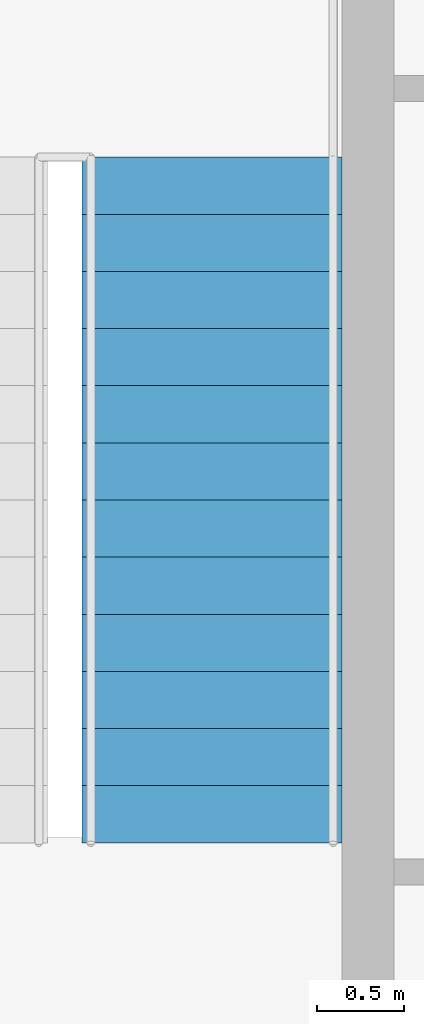
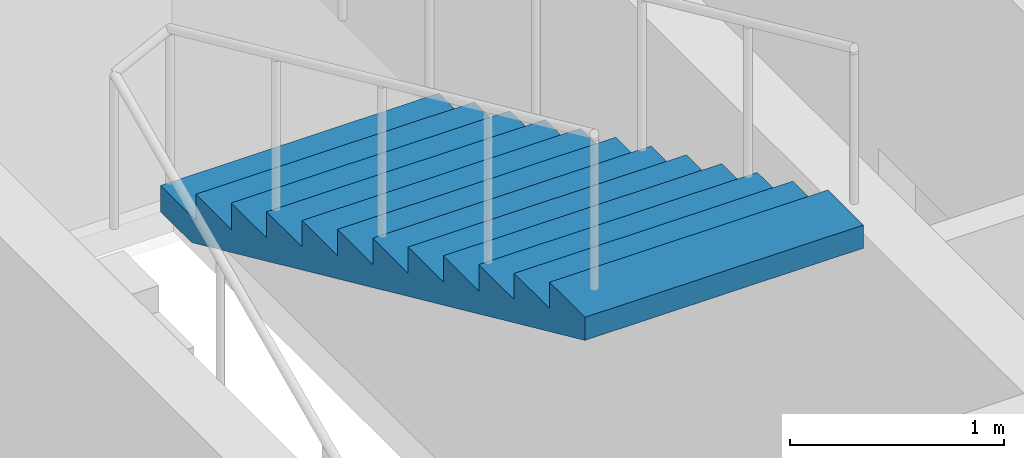
# One storey, part 10 of 11: 1 stair flight, 1 element without a shape of its own.
"""IFC4 building model written with IfcOpenShell, lengths in metres."""

import ifcopenshell
import ifcopenshell.guid

model = None  # the IFC model being written
_history = None  # IfcOwnerHistory: only IFC2X3 demands one
_inside = {}  # id of a spatial element -> (the spatial element, [elements in it])
_under = {}  # id of a project, library or spatial element -> (it, [spatial elements below it])
_declared = {}  # id of a project -> (the project, [libraries it declares])
_typed = {}  # id of a type object -> (the type object, [elements of that type])
_made_of = {}  # id of a material, layer set ... -> (it, [elements and type objects made of it])


def new_model(schema):
    """Start an empty IFC model of exactly this schema.

    Asked for "IFC4X3", IfcOpenShell would pick the latest addendum, in which some entities
    have other attributes; the version numbers below select the first issue.
    IFC2X3 requires an IfcOwnerHistory on every rooted entity: one is made here for all.
    """
    global model, _history
    if schema == "IFC4X3":
        model = ifcopenshell.file(schema_version=(4, 3, 0, 0))
    else:
        model = ifcopenshell.file(schema=schema)
    _inside.clear()
    _under.clear()
    _declared.clear()
    _typed.clear()
    _made_of.clear()
    _history = None
    if model.schema == "IFC2X3":
        org = make("IfcOrganization", Name="unknown")
        user = make(
            "IfcPersonAndOrganization",
            ThePerson=make("IfcPerson", FamilyName="unknown"),
            TheOrganization=org,
        )
        app = make(
            "IfcApplication",
            ApplicationDeveloper=org,
            Version="unknown",
            ApplicationFullName="unknown",
            ApplicationIdentifier="unknown",
        )
        _history = make(
            "IfcOwnerHistory",
            OwningUser=user,
            OwningApplication=app,
            ChangeAction="ADDED",
            CreationDate=0,
        )
    return model


def make(cls, **values):
    """One entity of the class cls with the attributes given. An attribute that is None is left unset."""
    return model.create_entity(
        cls, **{name: value for name, value in values.items() if value is not None}
    )


def rooted(cls, **values):
    """An entity with a GlobalId (a new one), such as an element, a storey or a relation."""
    return make(cls, GlobalId=ifcopenshell.guid.new(), OwnerHistory=_history, **values)


def si_unit(unit_type, name, prefix=None):
    """IfcSIUnit, for example si_unit("LENGTHUNIT", "METRE", prefix="MILLI")."""
    return make("IfcSIUnit", UnitType=unit_type, Prefix=prefix, Name=name)


def assignment(units):
    """IfcUnitAssignment: the units of a project."""
    return None if units is None else make("IfcUnitAssignment", Units=units)


def point(xyz):
    """IfcCartesianPoint."""
    return None if xyz is None else make("IfcCartesianPoint", Coordinates=xyz)


def direction(xyz):
    """IfcDirection."""
    return None if xyz is None else make("IfcDirection", DirectionRatios=xyz)


def frame(location, z_axis=None, x_axis=None):
    """IfcAxis2Placement3D, a coordinate frame: its origin and axes. An axis left out is left unset."""
    return make(
        "IfcAxis2Placement3D",
        Location=point(location),
        Axis=direction(z_axis),
        RefDirection=direction(x_axis),
    )


def origin():
    """The frame at (0, 0, 0) with its axes left unset."""
    return frame((0.0, 0.0, 0.0))


def place(relative_to, where):
    """IfcLocalPlacement: puts the frame where relative to a parent placement (None: the world)."""
    return make(
        "IfcLocalPlacement", PlacementRelTo=relative_to, RelativePlacement=where
    )


def context(
    kind, dimensions, precision=None, world=None, true_north=None, identifier=None
):
    """IfcGeometricRepresentationContext, for example the 3D "Model" context."""
    return make(
        "IfcGeometricRepresentationContext",
        ContextIdentifier=identifier,
        ContextType=kind,
        CoordinateSpaceDimension=dimensions,
        Precision=precision,
        WorldCoordinateSystem=world,
        TrueNorth=true_north,
    )


def subcontext(parent, identifier, kind, view, scale=None):
    """IfcGeometricRepresentationSubContext, for example "Body" below "Model"."""
    return make(
        "IfcGeometricRepresentationSubContext",
        ContextIdentifier=identifier,
        ContextType=kind,
        ParentContext=parent,
        TargetScale=scale,
        TargetView=view,
    )


def project(units=None, contexts=None):
    """IfcProject with its units and contexts."""
    return rooted(
        "IfcProject",
        Name="project",
        RepresentationContexts=contexts,
        UnitsInContext=assignment(units),
    )


def spatial(cls, under=None, at=None, **own):
    """A site, building, storey or space (cls), placed at a placement, below another one or the project."""
    s = rooted(cls, ObjectPlacement=at, **own)
    if under is not None:
        _under.setdefault(under.id(), (under, []))[1].append(s)
    return s


def point_list(points):
    """IfcCartesianPointList2D or 3D."""
    cls = (
        "IfcCartesianPointList2D" if len(points[0]) == 2 else "IfcCartesianPointList3D"
    )
    return make(cls, CoordList=points)


def polygons(points, faces, closed=None, point_numbers=None):
    """IfcPolygonalFaceSet: a face is its outer loop, then its inner loops; points numbered from 1."""
    made = []
    for loops in faces:
        if len(loops) == 1:
            made.append(make("IfcIndexedPolygonalFace", CoordIndex=loops[0]))
        else:
            made.append(
                make(
                    "IfcIndexedPolygonalFaceWithVoids",
                    CoordIndex=loops[0],
                    InnerCoordIndices=loops[1:],
                )
            )
    return make(
        "IfcPolygonalFaceSet",
        Coordinates=point_list(points),
        Closed=closed,
        Faces=made,
        PnIndex=point_numbers,
    )


def shape(context_of_items, identifier, shape_type, items):
    """IfcShapeRepresentation: the items that make up one representation, for example the "Body"."""
    return make(
        "IfcShapeRepresentation",
        ContextOfItems=context_of_items,
        RepresentationIdentifier=identifier,
        RepresentationType=shape_type,
        Items=items,
    )


def material(Name=None, Category=None):
    """IfcMaterial."""
    return make("IfcMaterial", Name=Name, Category=Category)


def made_of(thing, what):
    """Note that an element or type object is made of a material, layer set ...; save() writes the relation."""
    if what is not None:
        _made_of.setdefault(what.id(), (what, []))[1].append(thing)
    return thing


def type_object(cls, material=None, **own):
    """A type object (cls), such as IfcWallType, which elements share."""
    return made_of(rooted(cls, **own), material)


def element(
    cls,
    number,
    at=None,
    inside=None,
    cuts=None,
    type_object=None,
    material=None,
    context=None,
    identifier="Body",
    shape_type=None,
    held_by="IfcProductDefinitionShape",
    body=None,
    shapes=None,
    **own,
):
    """One element of the class cls, such as IfcWall. Its Tag is "e" and its number.

    at: its placement. inside: the storey or other place that contains it. cuts: it is an
    opening in that element (IfcRelVoidsElement). A single representation is given by context,
    identifier, shape_type and body (its items); several are given by shapes. held_by: the class
    of the entity that holds the representations. save() writes the other relations.
    """
    e = rooted(cls, Tag="e%d" % number, ObjectPlacement=at, **own)
    if body is not None:
        shapes = [shape(context, identifier, shape_type, body)]
    if shapes is not None:
        e.Representation = make(held_by, Representations=shapes)
    if inside is not None:
        _inside.setdefault(inside.id(), (inside, []))[1].append(e)
    if cuts is not None:
        rooted(
            "IfcRelVoidsElement", RelatingBuildingElement=cuts, RelatedOpeningElement=e
        )
    if type_object is not None:
        _typed.setdefault(type_object.id(), (type_object, []))[1].append(e)
    return made_of(e, material)


def aggregate(whole, parts):
    """IfcRelAggregates: a whole, such as a stair, and the parts it consists of."""
    return rooted("IfcRelAggregates", RelatingObject=whole, RelatedObjects=parts)


def save(model, path):
    """Write the relations noted so far, then the file.

    IfcRelAggregates (storeys below a building ...), IfcRelContainedInSpatialStructure (elements
    in a storey), IfcRelDefinesByType, IfcRelAssociatesMaterial and IfcRelDeclares: one each for
    every whole, place, type object, material and project.
    """
    for whole, parts in _under.values():
        aggregate(whole, parts)
    for where, things in _inside.values():
        rooted(
            "IfcRelContainedInSpatialStructure",
            RelatedElements=things,
            RelatingStructure=where,
        )
    for kind, things in _typed.values():
        rooted("IfcRelDefinesByType", RelatedObjects=things, RelatingType=kind)
    for what, things in _made_of.values():
        rooted("IfcRelAssociatesMaterial", RelatedObjects=things, RelatingMaterial=what)
    for by, libraries in _declared.values():
        rooted("IfcRelDeclares", RelatingContext=by, RelatedDefinitions=libraries)
    model.write(path)


model = new_model("IFC4")

# Units and contexts
model_context = context("Model", 3, precision=1e-05, world=origin(), true_north=direction((0.0, 1.0)))
body_context = subcontext(model_context, "Body", "Model", "MODEL_VIEW")
ifc_project = project(units=[si_unit("LENGTHUNIT", "METRE"), si_unit("AREAUNIT", "SQUARE_METRE"), si_unit("VOLUMEUNIT", "CUBIC_METRE"), si_unit("PLANEANGLEUNIT", "RADIAN"), si_unit("MASSUNIT", "GRAM", prefix="KILO")], contexts=[model_context])

# Site, building, storey
site_placement = place(None, origin())
site = spatial("IfcSite", under=ifc_project, at=site_placement, CompositionType="ELEMENT")
building_placement = place(site_placement, origin())
building = spatial("IfcBuilding", under=site, at=building_placement, Name="Njiva Tower", CompositionType="ELEMENT")
storey_placement = place(building_placement, frame((0.0, 0.0, 208.2)))
storey = spatial("IfcBuildingStorey", under=building, at=storey_placement, Name="L46", CompositionType="ELEMENT", Elevation=208.2)

# Stair, stair flight
ifc_material = material(Name="Concrete C40/50", Category="concrete")
stair_type = type_object("IfcStairType", Name="ST4 Exit stair 1500", PredefinedType="HALF_TURN_STAIR", material=ifc_material)
stair_placement = place(storey_placement, origin())
stair = element("IfcStair", 1, at=stair_placement, inside=storey, type_object=stair_type, Name="Stair B", PredefinedType="HALF_TURN_STAIR")
stair_flight_type = type_object("IfcStairFlightType", Name="FL4 Stair flight 1500", PredefinedType="STRAIGHT", material=ifc_material)
stair_flight_placement = place(storey_placement, frame((13.45, 15.06, 1.95), z_axis=(0.0, 0.0, 1.0), x_axis=(0.0, -1.0, 0.0)))
stair_flight = element("IfcStairFlight", 2, at=stair_flight_placement, type_object=stair_flight_type, Name="ST-B flight 2", NumberOfRisers=13, NumberOfTreads=12, PredefinedType="STRAIGHT", RiserHeight=0.15, TreadLength=0.33, context=body_context, shape_type="Tessellation", body=[
    polygons([(0.0, 0.75, 0.0), (0.0, 0.375, 0.0), (0.0, 0.0, 0.0), (0.0, -0.375, 0.0), (0.0, -0.75, 0.0), (0.0, 0.75, 0.15), (0.0, 0.375, 0.15), (0.0, 0.0, 0.15), (0.0, -0.375, 0.15), (0.0, -0.75, 0.15), (0.33, 0.75, 0.15), (0.33, 0.375, 0.15), (0.33, 0.0, 0.15), (0.33, -0.375, 0.15), (0.33, -0.75, 0.15), (0.33, 0.75, 0.3), (0.33, 0.375, 0.3), (0.33, 0.0, 0.3), (0.33, -0.375, 0.3), (0.33, -0.75, 0.3), (0.66, 0.75, 0.3), (0.66, 0.375, 0.3), (0.66, 0.0, 0.3), (0.66, -0.375, 0.3), (0.66, -0.75, 0.3), (0.66, 0.75, 0.45), (0.66, 0.375, 0.45), (0.66, 0.0, 0.45), (0.66, -0.375, 0.45), (0.66, -0.75, 0.45), (0.99, 0.75, 0.45), (0.99, 0.375, 0.45), (0.99, 0.0, 0.45), (0.99, -0.375, 0.45), (0.99, -0.75, 0.45), (0.99, 0.75, 0.6), (0.99, 0.375, 0.6), (0.99, 0.0, 0.6), (0.99, -0.375, 0.6), (0.99, -0.75, 0.6), (1.32, 0.75, 0.6), (1.32, 0.375, 0.6), (1.32, 0.0, 0.6), (1.32, -0.375, 0.6), (1.32, -0.75, 0.6), (1.32, 0.75, 0.75), (1.32, 0.375, 0.75), (1.32, 0.0, 0.75), (1.32, -0.375, 0.75), (1.32, -0.75, 0.75), (1.65, 0.75, 0.75), (1.65, 0.375, 0.75), (1.65, 0.0, 0.75), (1.65, -0.375, 0.75), (1.65, -0.75, 0.75), (1.65, 0.75, 0.9), (1.65, 0.375, 0.9), (1.65, 0.0, 0.9), (1.65, -0.375, 0.9), (1.65, -0.75, 0.9), (1.98, 0.75, 0.9), (1.98, 0.375, 0.9), (1.98, 0.0, 0.9), (1.98, -0.375, 0.9), (1.98, -0.75, 0.9), (1.98, 0.75, 1.05), (1.98, 0.375, 1.05), (1.98, 0.0, 1.05), (1.98, -0.375, 1.05), (1.98, -0.75, 1.05), (2.31, 0.75, 1.05), (2.31, 0.375, 1.05), (2.31, 0.0, 1.05), (2.31, -0.375, 1.05), (2.31, -0.75, 1.05), (2.31, 0.75, 1.2), (2.31, 0.375, 1.2), (2.31, 0.0, 1.2), (2.31, -0.375, 1.2), (2.31, -0.75, 1.2), (2.64, 0.75, 1.2), (2.64, 0.375, 1.2), (2.64, 0.0, 1.2), (2.64, -0.375, 1.2), (2.64, -0.75, 1.2), (2.64, 0.75, 1.35), (2.64, 0.375, 1.35), (2.64, 0.0, 1.35), (2.64, -0.375, 1.35), (2.64, -0.75, 1.35), (2.97, 0.75, 1.35), (2.97, 0.375, 1.35), (2.97, 0.0, 1.35), (2.97, -0.375, 1.35), (2.97, -0.75, 1.35), (2.97, 0.75, 1.5), (2.97, 0.375, 1.5), (2.97, 0.0, 1.5), (2.97, -0.375, 1.5), (2.97, -0.75, 1.5), (3.3, 0.75, 1.5), (3.3, 0.375, 1.5), (3.3, 0.0, 1.5), (3.3, -0.375, 1.5), (3.3, -0.75, 1.5), (3.3, 0.75, 1.65), (3.3, 0.375, 1.65), (3.3, 0.0, 1.65), (3.3, -0.375, 1.65), (3.3, -0.75, 1.65), (3.63, 0.75, 1.65), (3.63, 0.375, 1.65), (3.63, 0.0, 1.65), (3.63, -0.375, 1.65), (3.63, -0.75, 1.65), (3.63, 0.75, 1.8), (3.63, 0.375, 1.8), (3.63, 0.0, 1.8), (3.63, -0.375, 1.8), (3.63, -0.75, 1.8), (3.96, 0.75, 1.8), (3.96, 0.375, 1.8), (3.96, 0.0, 1.8), (3.96, -0.375, 1.8), (3.96, -0.75, 1.8), (3.96, 0.75, 1.6682), (3.96, 0.375, 1.6682), (3.96, 0.0, 1.6682), (3.96, -0.375, 1.6682), (3.96, -0.75, 1.6682), (0.29, 0.75, 0.0), (0.29, 0.375, 0.0), (0.29, 0.0, 0.0), (0.29, -0.375, 0.0), (0.29, -0.75, 0.0)], [[[1, 6, 11, 16, 21, 26, 31, 36, 41, 46, 51, 56, 61, 66, 71, 76, 81, 86, 91, 96, 101, 106, 111, 116, 121, 126, 131]], [[135, 130, 125, 120, 115, 110, 105, 100, 95, 90, 85, 80, 75, 70, 65, 60, 55, 50, 45, 40, 35, 30, 25, 20, 15, 10, 5]], [[6, 1, 2, 7]], [[7, 2, 3, 8]], [[8, 3, 4, 9]], [[9, 4, 5, 10]], [[11, 6, 7, 12]], [[12, 7, 8, 13]], [[13, 8, 9, 14]], [[14, 9, 10, 15]], [[16, 11, 12, 17]], [[17, 12, 13, 18]], [[18, 13, 14, 19]], [[19, 14, 15, 20]], [[21, 16, 17, 22]], [[22, 17, 18, 23]], [[23, 18, 19, 24]], [[24, 19, 20, 25]], [[26, 21, 22, 27]], [[27, 22, 23, 28]], [[28, 23, 24, 29]], [[29, 24, 25, 30]], [[31, 26, 27, 32]], [[32, 27, 28, 33]], [[33, 28, 29, 34]], [[34, 29, 30, 35]], [[36, 31, 32, 37]], [[37, 32, 33, 38]], [[38, 33, 34, 39]], [[39, 34, 35, 40]], [[41, 36, 37, 42]], [[42, 37, 38, 43]], [[43, 38, 39, 44]], [[44, 39, 40, 45]], [[46, 41, 42, 47]], [[47, 42, 43, 48]], [[48, 43, 44, 49]], [[49, 44, 45, 50]], [[51, 46, 47, 52]], [[52, 47, 48, 53]], [[53, 48, 49, 54]], [[54, 49, 50, 55]], [[56, 51, 52, 57]], [[57, 52, 53, 58]], [[58, 53, 54, 59]], [[59, 54, 55, 60]], [[61, 56, 57, 62]], [[62, 57, 58, 63]], [[63, 58, 59, 64]], [[64, 59, 60, 65]], [[66, 61, 62, 67]], [[67, 62, 63, 68]], [[68, 63, 64, 69]], [[69, 64, 65, 70]], [[71, 66, 67, 72]], [[72, 67, 68, 73]], [[73, 68, 69, 74]], [[74, 69, 70, 75]], [[76, 71, 72, 77]], [[77, 72, 73, 78]], [[78, 73, 74, 79]], [[79, 74, 75, 80]], [[81, 76, 77, 82]], [[82, 77, 78, 83]], [[83, 78, 79, 84]], [[84, 79, 80, 85]], [[86, 81, 82, 87]], [[87, 82, 83, 88]], [[88, 83, 84, 89]], [[89, 84, 85, 90]], [[91, 86, 87, 92]], [[92, 87, 88, 93]], [[93, 88, 89, 94]], [[94, 89, 90, 95]], [[96, 91, 92, 97]], [[97, 92, 93, 98]], [[98, 93, 94, 99]], [[99, 94, 95, 100]], [[101, 96, 97, 102]], [[102, 97, 98, 103]], [[103, 98, 99, 104]], [[104, 99, 100, 105]], [[106, 101, 102, 107]], [[107, 102, 103, 108]], [[108, 103, 104, 109]], [[109, 104, 105, 110]], [[111, 106, 107, 112]], [[112, 107, 108, 113]], [[113, 108, 109, 114]], [[114, 109, 110, 115]], [[116, 111, 112, 117]], [[117, 112, 113, 118]], [[118, 113, 114, 119]], [[119, 114, 115, 120]], [[121, 116, 117, 122]], [[122, 117, 118, 123]], [[123, 118, 119, 124]], [[124, 119, 120, 125]], [[126, 121, 122, 127]], [[127, 122, 123, 128]], [[128, 123, 124, 129]], [[129, 124, 125, 130]], [[131, 126, 127, 132]], [[132, 127, 128, 133]], [[133, 128, 129, 134]], [[134, 129, 130, 135]], [[1, 131, 132, 2]], [[2, 132, 133, 3]], [[3, 133, 134, 4]], [[4, 134, 135, 5]]], closed=True),
])
aggregate(stair, [stair_flight])

save(model, "model.ifc")
